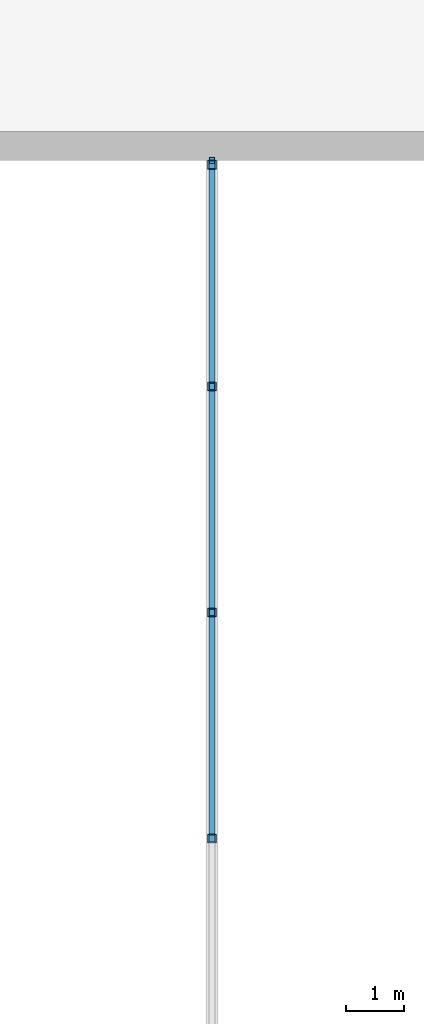
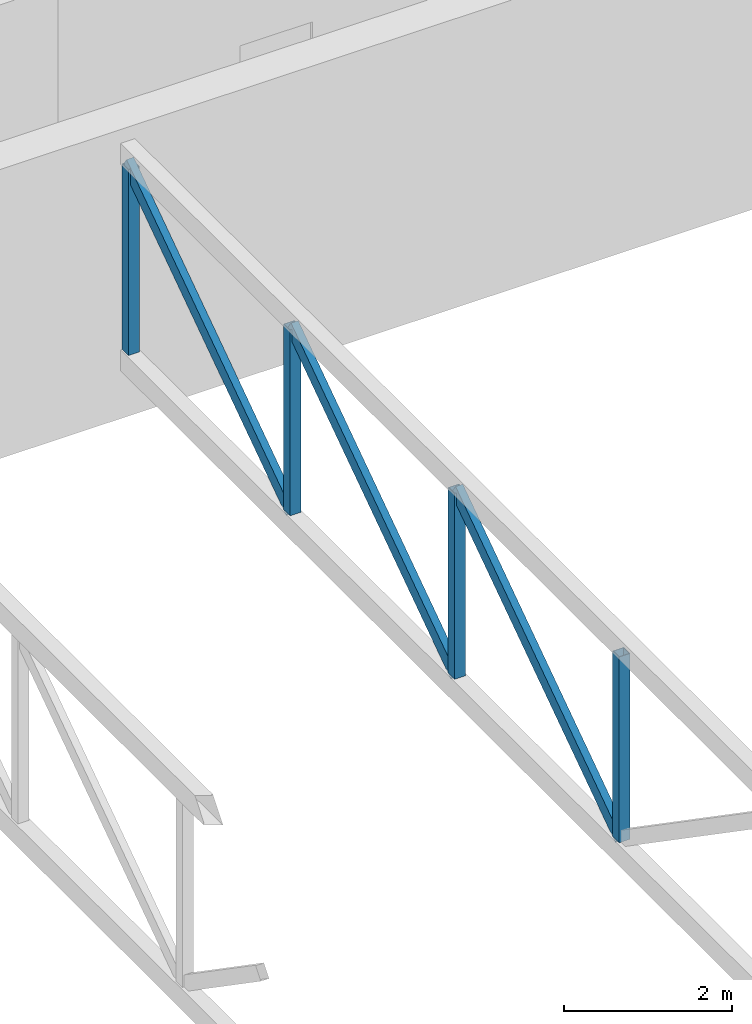
# One storey, part 16 of 47: 7 members.
"""IFC4 building model written with IfcOpenShell, lengths in metres."""

from ifc_helpers import new_model, si_unit, direction, frame, origin, origin_2d, place, context, subcontext, project, spatial, hollow_rectangle, extrude, material, material_profile, profile_set, type_object, element, save


model = new_model("IFC4")

# Units and contexts
model_context = context("Model", 3, precision=1e-05, world=origin(), true_north=direction((0.0, 1.0)))
body_context = subcontext(model_context, "Body", "Model", "MODEL_VIEW")
ifc_project = project(units=[si_unit("LENGTHUNIT", "METRE"), si_unit("AREAUNIT", "SQUARE_METRE"), si_unit("VOLUMEUNIT", "CUBIC_METRE"), si_unit("PLANEANGLEUNIT", "RADIAN"), si_unit("MASSUNIT", "GRAM", prefix="KILO")], contexts=[model_context])

# Site, building, storey
site_placement = place(None, origin())
site = spatial("IfcSite", under=ifc_project, at=site_placement, CompositionType="ELEMENT")
building_placement = place(site_placement, origin())
building = spatial("IfcBuilding", under=site, at=building_placement, Name="Nakaniwa Court", CompositionType="ELEMENT")
storey_placement = place(building_placement, frame((0.0, 0.0, 15.60009765625)))
storey = spatial("IfcBuildingStorey", under=building, at=storey_placement, Name="L03", CompositionType="ELEMENT", Elevation=15.60009765625)

# Members
ifc_material = material(Name="Steel AS/NZS 1163 Grade C350L0", Category="steel")
ifc_material_profile_1 = material_profile(ifc_material, hollow_rectangle(XDim=0.10009765625, YDim=0.199951171875, WallThickness=0.006103515625, at=origin_2d()), Name="RHS 200x100x6")
ifc_profile_set_1 = profile_set([ifc_material_profile_1], Name="Steel AS/NZS 1163 Grade C350L0")
member_type_1 = type_object("IfcMemberType", Name="Roof truss diagonal RHS 200x100x6", PredefinedType="BRACE", material=ifc_profile_set_1)
for number, where, z_axis, x_axis, name in (
    (1, (193.0, 80.0, 1.0), (0.0, 0.823336002071, 0.567554250882), (-1.0, 0.0, 0.0), "Roof truss A4 diagonal 4"),
    (2, (193.0, 83.916748046875, 1.0), (0.0, 0.82331946975, 0.567578233136), (-1.0, 0.0, 0.0), "Roof truss A4 diagonal 5"),
    (3, (193.0, 87.833251953125, 1.0), (0.0, 0.823336002071, 0.567554250882), (-1.0, 0.0, 0.0), "Roof truss A4 diagonal 6"),
):
    element("IfcMember", number, at=place(storey_placement, frame(where, z_axis=z_axis, x_axis=x_axis)), inside=storey, type_object=member_type_1, Name=name, PredefinedType="BRACE", context=body_context, shape_type="SweptSolid", body=[
        extrude(hollow_rectangle(XDim=0.10009765625, YDim=0.199951171875, WallThickness=0.006103515625, at=origin_2d()), origin(), (0.0, 0.0, 1.0), 4.757080078125),
    ])
ifc_material_profile_2 = material_profile(ifc_material, hollow_rectangle(XDim=0.14990234375, YDim=0.14990234375, WallThickness=0.006103515625, at=origin_2d()), Name="SHS 150x150x6")
ifc_profile_set_2 = profile_set([ifc_material_profile_2], Name="Steel AS/NZS 1163 Grade C350L0")
member_type_2 = type_object("IfcMemberType", Name="Roof truss post SHS 150x150x6", PredefinedType="STRUT", material=ifc_profile_set_2)
for number, where, z_axis, x_axis, name in (
    (4, (193.0, 80.0, 1.0), (0.0, 0.0, 1.0), (1.0, 0.0, 0.0), "Roof truss A4 post 4"),
    (5, (193.0, 83.916748046875, 1.0), (0.0, 0.0, 1.0), (1.0, 0.0, 0.0), "Roof truss A4 post 5"),
    (6, (193.0, 87.833251953125, 1.0), (0.0, 0.0, 1.0), (1.0, 0.0, 0.0), "Roof truss A4 post 6"),
    (7, (193.0, 91.675048828125, 1.0), (0.0, 0.0, 1.0), (1.0, 0.0, 0.0), "Roof truss A4 post 7"),
):
    element("IfcMember", number, at=place(storey_placement, frame(where, z_axis=z_axis, x_axis=x_axis)), inside=storey, type_object=member_type_2, Name=name, PredefinedType="STRUT", context=body_context, shape_type="SweptSolid", body=[
        extrude(hollow_rectangle(XDim=0.14990234375, YDim=0.14990234375, WallThickness=0.006103515625, at=origin_2d()), origin(), (0.0, 0.0, 1.0), 2.699951171875),
    ])

save(model, "model.ifc")
